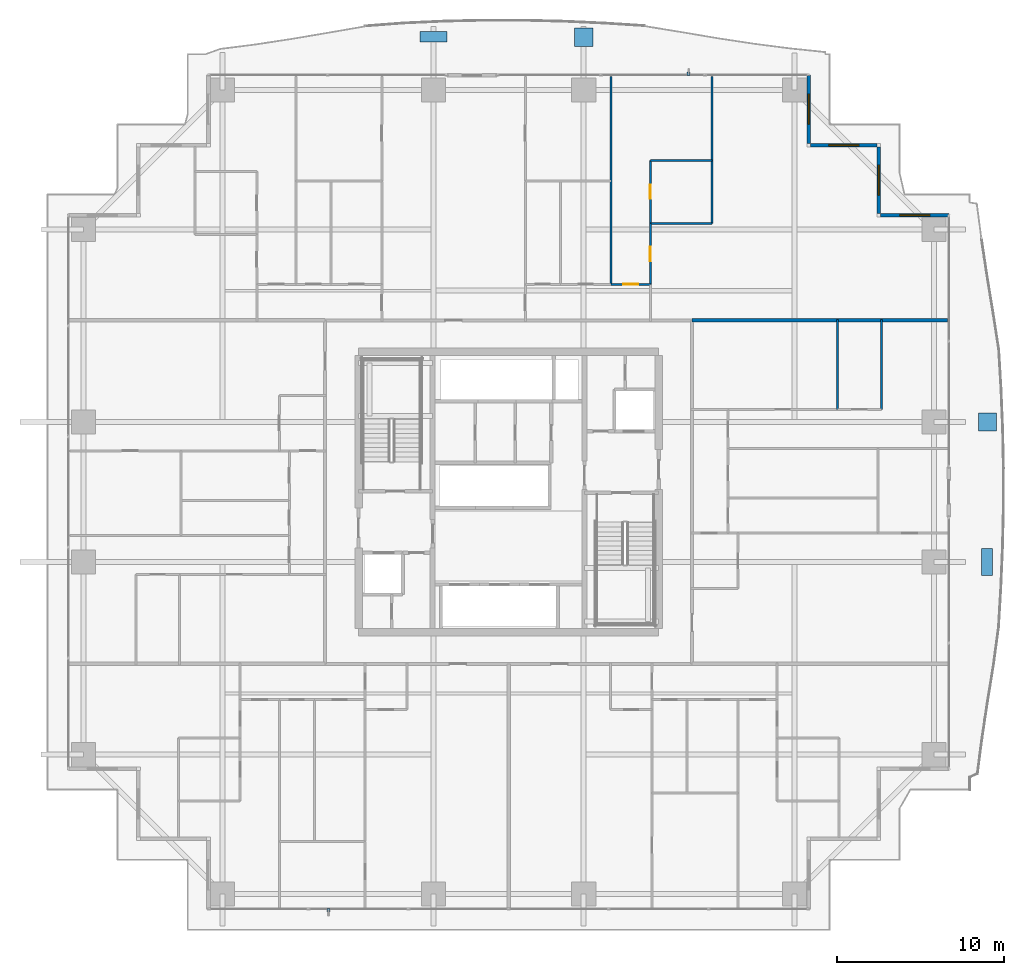
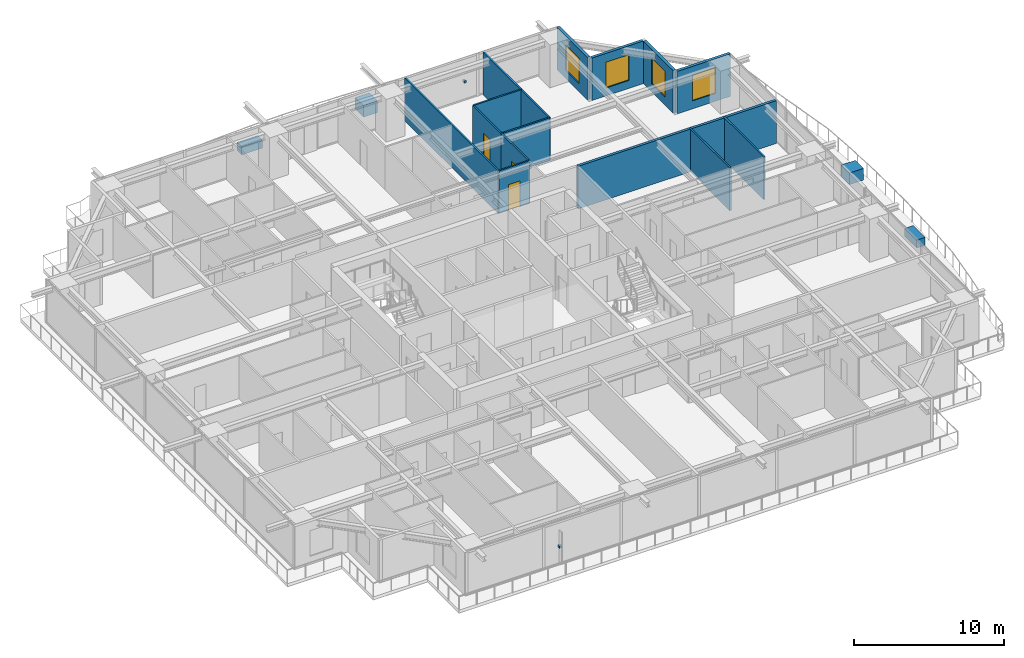
# One storey, part 32 of 39: 14 walls, 6 discrete accessories, 4 windows, 3 doors, 7 openings.
"""IFC4 building model written with IfcOpenShell, lengths in metres."""

from ifc_helpers import new_model, si_unit, direction, frame, frame_2d, origin, origin_2d, place, context, subcontext, project, spatial, rectangle, extrude, source, transform, mapped, material, layer, layer_set, type_object, element, fill, save


model = new_model("IFC4")

# Units and contexts
model_context = context("Model", 3, precision=1e-05, world=origin(), true_north=direction((0.0, 1.0)))
body_context = subcontext(model_context, "Body", "Model", "MODEL_VIEW")
ifc_project = project(units=[si_unit("LENGTHUNIT", "METRE"), si_unit("AREAUNIT", "SQUARE_METRE"), si_unit("VOLUMEUNIT", "CUBIC_METRE"), si_unit("PLANEANGLEUNIT", "RADIAN"), si_unit("MASSUNIT", "GRAM", prefix="KILO")], contexts=[model_context])

# Site, building, storey
site_placement = place(None, origin())
site = spatial("IfcSite", under=ifc_project, at=site_placement, CompositionType="ELEMENT")
building_placement = place(site_placement, origin())
building = spatial("IfcBuilding", under=site, at=building_placement, Name="Serunith Strait Residences", CompositionType="ELEMENT")
storey_placement = place(building_placement, frame((0.0, 0.0, 97.949951171875)))
storey = spatial("IfcBuildingStorey", under=building, at=storey_placement, Name="L24", CompositionType="ELEMENT", Elevation=97.949951171875)

# Wall, opening, window
ifc_material_1 = material(Name="Pale-Champagne Aluminium Insulated Panel", Category="aluminium")
ifc_layer_1 = layer(ifc_material_1, 0.219970703125, Name="Pale-Champagne Aluminium Insulated Panel")
ifc_layer_set_1 = layer_set([ifc_layer_1], Name="Pale-Champagne Aluminium Insulated Panel")
wall_type_1 = type_object("IfcWallType", Name="EW-ALUM-220", PredefinedType="ELEMENTEDWALL", material=ifc_layer_set_1)
wall_1_placement = place(storey_placement, frame((58.800048828125, 41.800048828125, 0.0), z_axis=(0.0, 0.0, 1.0), x_axis=(-1.0, 0.0, 0.0)))
wall_1 = element("IfcWall", 1, at=wall_1_placement, inside=storey, type_object=wall_type_1, Name="L24 Girih Serrated Corner Wall 07", PredefinedType="ELEMENTEDWALL", context=body_context, shape_type="SweptSolid", body=[
    extrude(rectangle(XDim=4.090087890625, YDim=0.219970703125, at=frame_2d((2.044921875, 0.0))), origin(), (0.0, 0.0, 1.0), 3.47509765625),
])
opening_1_placement = place(wall_1_placement, frame((1.14501953125, 0.0, 0.64990234375)))
opening_1 = element("IfcOpeningElement", 2, at=opening_1_placement, cuts=wall_1, Name="Opening W-01", PredefinedType="OPENING", context=body_context, shape_type="SweptSolid", body=[
    extrude(rectangle(XDim=1.800048828125, YDim=2.10009765625, at=frame_2d((0.89990234375, 1.050048828125))), frame((0.0, 0.1201171875, 0.0), z_axis=(0.0, -1.0, 0.0), x_axis=(1.0, 0.0, 0.0)), (0.0, 0.0, 1.0), 0.239990234375),
])
ifc_material_2 = material(Name="Ceramic-Fritted Operable Aluminium Window Glass", Category="aluminium")
window_type = type_object("IfcWindowType", Name="WIN-C1", PartitioningType="DOUBLE_PANEL_VERTICAL", PredefinedType="WINDOW", material=ifc_material_2)
shared_shape_1 = source(origin(), body_context, "Body", "SweptSolid", [
    extrude(rectangle(XDim=1.800048828125, YDim=2.10009765625, at=frame_2d((0.89990234375, 1.050048828125))), frame((0.0, 0.030029296875, 0.0), z_axis=(0.0, -1.0, 0.0), x_axis=(1.0, 0.0, 0.0)), (0.0, 0.0, 1.0), 0.06005859375),
])
window_1_placement = place(opening_1_placement, origin())
window_1 = element("IfcWindow", 3, at=window_1_placement, inside=storey, type_object=window_type, Name="L24 Corner Operable Fritted Window 07", OverallHeight=2.10009765625, OverallWidth=1.800048828125, PartitioningType="SINGLE_PANEL", PredefinedType="WINDOW", context=body_context, shape_type="MappedRepresentation", body=[
    mapped(shared_shape_1, transform((0.0, 0.0, 0.0), scale=1.0)),
])
fill(opening_1, window_1)

wall_2_placement = place(storey_placement, frame((54.60009765625, 41.909912109375, 0.0), z_axis=(0.0, 0.0, 1.0), x_axis=(0.0, 1.0, 0.0)))
wall_2 = element("IfcWall", 4, at=wall_2_placement, inside=storey, type_object=wall_type_1, Name="L24 Girih Serrated Corner Wall 08", PredefinedType="ELEMENTEDWALL", context=body_context, shape_type="SweptSolid", body=[
    extrude(rectangle(XDim=3.97998046875, YDim=0.219970703125, at=frame_2d((1.989990234375, 0.0))), origin(), (0.0, 0.0, 1.0), 3.47509765625),
])
opening_2_placement = place(wall_2_placement, frame((1.090087890625, 0.0, 0.64990234375)))
opening_2 = element("IfcOpeningElement", 5, at=opening_2_placement, cuts=wall_2, Name="Opening W-01", PredefinedType="OPENING", context=body_context, shape_type="SweptSolid", body=[
    extrude(rectangle(XDim=1.800048828125, YDim=2.10009765625, at=frame_2d((0.89990234375, 1.050048828125))), frame((0.0, 0.1201171875, 0.0), z_axis=(0.0, -1.0, 0.0), x_axis=(1.0, 0.0, 0.0)), (0.0, 0.0, 1.0), 0.239990234375),
])
window_2_placement = place(opening_2_placement, origin())
window_2 = element("IfcWindow", 6, at=window_2_placement, inside=storey, type_object=window_type, Name="L24 Corner Operable Fritted Window 08", OverallHeight=2.10009765625, OverallWidth=1.800048828125, PartitioningType="SINGLE_PANEL", PredefinedType="WINDOW", context=body_context, shape_type="MappedRepresentation", body=[
    mapped(shared_shape_1, transform((0.0, 0.0, 0.0), scale=1.0)),
])
fill(opening_2, window_2)

wall_3_placement = place(storey_placement, frame((54.489990234375, 46.0, 0.0), z_axis=(0.0, 0.0, 1.0), x_axis=(-1.0, 0.0, 0.0)))
wall_3 = element("IfcWall", 7, at=wall_3_placement, inside=storey, type_object=wall_type_1, Name="L24 Girih Serrated Corner Wall 09", PredefinedType="ELEMENTEDWALL", context=body_context, shape_type="SweptSolid", body=[
    extrude(rectangle(XDim=3.97998046875, YDim=0.219970703125, at=frame_2d((1.989990234375, 0.0))), origin(), (0.0, 0.0, 1.0), 3.47509765625),
])
opening_3_placement = place(wall_3_placement, frame((1.090087890625, 0.0, 0.64990234375)))
opening_3 = element("IfcOpeningElement", 8, at=opening_3_placement, cuts=wall_3, Name="Opening W-01", PredefinedType="OPENING", context=body_context, shape_type="SweptSolid", body=[
    extrude(rectangle(XDim=1.800048828125, YDim=2.10009765625, at=frame_2d((0.89990234375, 1.050048828125))), frame((0.0, 0.1201171875, 0.0), z_axis=(0.0, -1.0, 0.0), x_axis=(1.0, 0.0, 0.0)), (0.0, 0.0, 1.0), 0.239990234375),
])
window_3_placement = place(opening_3_placement, origin())
window_3 = element("IfcWindow", 9, at=window_3_placement, inside=storey, type_object=window_type, Name="L24 Corner Operable Fritted Window 09", OverallHeight=2.10009765625, OverallWidth=1.800048828125, PartitioningType="SINGLE_PANEL", PredefinedType="WINDOW", context=body_context, shape_type="MappedRepresentation", body=[
    mapped(shared_shape_1, transform((0.0, 0.0, 0.0), scale=1.0)),
])
fill(opening_3, window_3)

wall_4_placement = place(storey_placement, frame((50.39990234375, 46.110107421875, 0.0), z_axis=(0.0, 0.0, 1.0), x_axis=(0.0, 1.0, 0.0)))
wall_4 = element("IfcWall", 10, at=wall_4_placement, inside=storey, type_object=wall_type_1, Name="L24 Girih Serrated Corner Wall 10", PredefinedType="ELEMENTEDWALL", context=body_context, shape_type="SweptSolid", body=[
    extrude(rectangle(XDim=4.08984375, YDim=0.219970703125, at=frame_2d((2.044921875, 0.0))), origin(), (0.0, 0.0, 1.0), 3.47509765625),
])
opening_4_placement = place(wall_4_placement, frame((1.14501953125, 0.0, 0.64990234375)))
opening_4 = element("IfcOpeningElement", 11, at=opening_4_placement, cuts=wall_4, Name="Opening W-01", PredefinedType="OPENING", context=body_context, shape_type="SweptSolid", body=[
    extrude(rectangle(XDim=1.800048828125, YDim=2.10009765625, at=frame_2d((0.89990234375, 1.050048828125))), frame((0.0, 0.1201171875, 0.0), z_axis=(0.0, -1.0, 0.0), x_axis=(1.0, 0.0, 0.0)), (0.0, 0.0, 1.0), 0.239990234375),
])
window_4_placement = place(opening_4_placement, origin())
window_4 = element("IfcWindow", 12, at=window_4_placement, inside=storey, type_object=window_type, Name="L24 Corner Operable Fritted Window 10", OverallHeight=2.10009765625, OverallWidth=1.800048828125, PartitioningType="SINGLE_PANEL", PredefinedType="WINDOW", context=body_context, shape_type="MappedRepresentation", body=[
    mapped(shared_shape_1, transform((0.0, 0.0, 0.0), scale=1.0)),
])
fill(opening_4, window_4)

# Wall
ifc_material_3 = material(Name="Lightweight steel-stud gypsum partition", Category="steel")
ifc_layer_2 = layer(ifc_material_3, 0.1201171875, Name="Lightweight steel-stud gypsum partition")
ifc_layer_set_2 = layer_set([ifc_layer_2], Name="Lightweight steel-stud gypsum partition")
wall_type_2 = type_object("IfcWallType", Name="IW-PART-120", PredefinedType="PARTITIONING", material=ifc_layer_set_2)
wall_5_placement = place(storey_placement, frame((38.550048828125, 50.10498046875, 0.0), z_axis=(0.0, 0.0, 1.0), x_axis=(0.0, -1.0, 0.0)))
element("IfcWall", 13, at=wall_5_placement, inside=storey, type_object=wall_type_2, Name="L24 Partition Wall 079", PredefinedType="PARTITIONING", context=body_context, shape_type="SweptSolid", body=[
    extrude(rectangle(XDim=12.455078125, YDim=0.1201171875, at=frame_2d((6.2275390625, 0.0))), origin(), (0.0, 0.0, 1.0), 3.489990234375),
])

# Wall, opening, door
wall_6_placement = place(storey_placement, frame((38.552001953125, 37.64990234375, 0.0), z_axis=(0.0, 0.0, 1.0), x_axis=(1.0, 0.0, 0.0)))
wall_6 = element("IfcWall", 14, at=wall_6_placement, inside=storey, type_object=wall_type_2, Name="L24 Partition Wall 083", PredefinedType="PARTITIONING", context=body_context, shape_type="SweptSolid", body=[
    extrude(rectangle(XDim=2.347900390625, YDim=0.1201171875, at=frame_2d((1.173828125, 0.0))), origin(), (0.0, 0.0, 1.0), 3.489990234375),
])
opening_5_placement = place(wall_6_placement, frame((0.72412109375, 0.0, 0.0)))
opening_5 = element("IfcOpeningElement", 15, at=opening_5_placement, cuts=wall_6, Name="Opening D-RM900", PredefinedType="OPENING", context=body_context, shape_type="SweptSolid", body=[
    extrude(rectangle(XDim=0.89990234375, YDim=2.10009765625, at=frame_2d((0.449951171875, 1.050048828125))), frame((0.0, 0.070068359375, 0.0), z_axis=(0.0, -1.0, 0.0), x_axis=(1.0, 0.0, 0.0)), (0.0, 0.0, 1.0), 0.14013671875),
])
ifc_material_4 = material(Name="Engineered timber flush bedroom door", Category="wood")
door_type_1 = type_object("IfcDoorType", Name="ID-ROOM-900", OperationType="NOTDEFINED", PredefinedType="DOOR", material=ifc_material_4)
shared_shape_2 = source(origin(), body_context, "Body", "SweptSolid", [
    extrude(rectangle(XDim=0.89990234375, YDim=2.10009765625, at=frame_2d((0.449951171875, 1.050048828125))), frame((0.0, 0.02490234375, 0.0), z_axis=(0.0, -1.0, 0.0), x_axis=(1.0, 0.0, 0.0)), (0.0, 0.0, 1.0), 0.050048828125),
])
door_1_placement = place(opening_5_placement, origin())
door_1 = element("IfcDoor", 16, at=door_1_placement, inside=storey, type_object=door_type_1, Name="L24 Master Bedroom E 2403 Door", OperationType="SINGLE_SWING_LEFT", OverallHeight=2.10009765625, OverallWidth=0.89990234375, PredefinedType="DOOR", context=body_context, shape_type="MappedRepresentation", body=[
    mapped(shared_shape_2, transform((0.0, 0.0, 0.0), scale=1.0)),
])
fill(opening_5, door_1)

# Walls
wall_7_placement = place(storey_placement, frame((40.89990234375, 45.091064453125, 0.0), z_axis=(0.0, 0.0, 1.0), x_axis=(1.0, 0.0, 0.0)))
element("IfcWall", 17, at=wall_7_placement, inside=storey, type_object=wall_type_2, Name="L24 Partition Wall 084", PredefinedType="PARTITIONING", context=body_context, shape_type="SweptSolid", body=[
    extrude(rectangle(XDim=3.7001953125, YDim=0.1201171875, at=frame_2d((1.85009765625, 0.0))), origin(), (0.0, 0.0, 1.0), 3.489990234375),
])
wall_8_placement = place(storey_placement, frame((44.60009765625, 50.10498046875, 0.0), z_axis=(0.0, 0.0, 1.0), x_axis=(0.0, -1.0, 0.0)))
element("IfcWall", 18, at=wall_8_placement, inside=storey, type_object=wall_type_2, Name="L24 Partition Wall 085", PredefinedType="PARTITIONING", context=body_context, shape_type="SweptSolid", body=[
    extrude(rectangle(XDim=8.798095703125, YDim=0.1201171875, at=frame_2d((4.39892578125, 0.0))), origin(), (0.0, 0.0, 1.0), 3.489990234375),
])
wall_9_placement = place(storey_placement, frame((40.89990234375, 41.306884765625, 0.0), z_axis=(0.0, 0.0, 1.0), x_axis=(1.0, 0.0, 0.0)))
element("IfcWall", 19, at=wall_9_placement, inside=storey, type_object=wall_type_2, Name="L24 Partition Wall 086", PredefinedType="PARTITIONING", context=body_context, shape_type="SweptSolid", body=[
    extrude(rectangle(XDim=3.7001953125, YDim=0.1201171875, at=frame_2d((1.85009765625, 0.0))), origin(), (0.0, 0.0, 1.0), 3.489990234375),
])

# Wall, opening, door
wall_10_placement = place(storey_placement, frame((40.89990234375, 45.091064453125, 0.0), z_axis=(0.0, 0.0, 1.0), x_axis=(0.0, -1.0, 0.0)))
wall_10 = element("IfcWall", 20, at=wall_10_placement, inside=storey, type_object=wall_type_2, Name="L24 Partition Wall 087", PredefinedType="PARTITIONING", context=body_context, shape_type="SweptSolid", body=[
    extrude(rectangle(XDim=3.7841796875, YDim=0.1201171875, at=frame_2d((1.89208984375, 0.0))), origin(), (0.0, 0.0, 1.0), 3.489990234375),
])
opening_6_placement = place(wall_10_placement, frame((1.467041015625, 0.0, 0.0)))
opening_6 = element("IfcOpeningElement", 21, at=opening_6_placement, cuts=wall_10, Name="Opening D-BTH850", PredefinedType="OPENING", context=body_context, shape_type="SweptSolid", body=[
    extrude(rectangle(XDim=0.85009765625, YDim=2.10009765625, at=frame_2d((0.425048828125, 1.050048828125))), frame((0.0, 0.070068359375, 0.0), z_axis=(0.0, -1.0, 0.0), x_axis=(1.0, 0.0, 0.0)), (0.0, 0.0, 1.0), 0.14013671875),
])
ifc_material_5 = material(Name="Moisture-resistant timber bathroom door", Category="wood")
door_type_2 = type_object("IfcDoorType", Name="ID-BATH-850", OperationType="NOTDEFINED", PredefinedType="DOOR", material=ifc_material_5)
shared_shape_3 = source(origin(), body_context, "Body", "SweptSolid", [
    extrude(rectangle(XDim=0.85009765625, YDim=2.10009765625, at=frame_2d((0.425048828125, 1.050048828125))), frame((0.0, 0.02490234375, 0.0), z_axis=(0.0, -1.0, 0.0), x_axis=(1.0, 0.0, 0.0)), (0.0, 0.0, 1.0), 0.050048828125),
])
door_2_placement = place(opening_6_placement, origin())
door_2 = element("IfcDoor", 22, at=door_2_placement, inside=storey, type_object=door_type_2, Name="L24 En-suite Bathroom E 2403 Door", OperationType="SINGLE_SWING_RIGHT", OverallHeight=2.10009765625, OverallWidth=0.85009765625, PredefinedType="DOOR", context=body_context, shape_type="MappedRepresentation", body=[
    mapped(shared_shape_3, transform((0.0, 0.0, 0.0), scale=1.0)),
])
fill(opening_6, door_2)

wall_11_placement = place(storey_placement, frame((40.89990234375, 41.304931640625, 0.0), z_axis=(0.0, 0.0, 1.0), x_axis=(0.0, -1.0, 0.0)))
wall_11 = element("IfcWall", 23, at=wall_11_placement, inside=storey, type_object=wall_type_2, Name="L24 Partition Wall 088", PredefinedType="PARTITIONING", context=body_context, shape_type="SweptSolid", body=[
    extrude(rectangle(XDim=3.655029296875, YDim=0.1201171875, at=frame_2d((1.82763671875, 0.0))), origin(), (0.0, 0.0, 1.0), 3.489990234375),
])
opening_7_placement = place(wall_11_placement, frame((1.403076171875, 0.0, 0.0)))
opening_7 = element("IfcOpeningElement", 24, at=opening_7_placement, cuts=wall_11, Name="Opening D-RM850", PredefinedType="OPENING", context=body_context, shape_type="SweptSolid", body=[
    extrude(rectangle(XDim=0.85009765625, YDim=2.10009765625, at=frame_2d((0.425048828125, 1.050048828125))), frame((0.0, 0.070068359375, 0.0), z_axis=(0.0, -1.0, 0.0), x_axis=(1.0, 0.0, 0.0)), (0.0, 0.0, 1.0), 0.14013671875),
])
ifc_material_6 = material(Name="Engineered timber flush study and kitchen door", Category="wood")
door_type_3 = type_object("IfcDoorType", Name="ID-ROOM-850", OperationType="NOTDEFINED", PredefinedType="DOOR", material=ifc_material_6)
door_3_placement = place(opening_7_placement, origin())
door_3 = element("IfcDoor", 25, at=door_3_placement, inside=storey, type_object=door_type_3, Name="L24 Wardrobe E 2403 Door", OperationType="SINGLE_SWING_LEFT", OverallHeight=2.10009765625, OverallWidth=0.85009765625, PredefinedType="DOOR", context=body_context, shape_type="MappedRepresentation", body=[
    mapped(shared_shape_3, transform((0.0, 0.0, 0.0), scale=1.0)),
])
fill(opening_7, door_3)

# Walls
for number, where, z_axis, x_axis, name in (
    (26, (54.75, 30.14990234375, 0.0), (0.0, 0.0, 1.0), (0.0, 1.0, 0.0), "L24 Partition Wall 117"),
    (27, (52.133056640625, 30.14990234375, 0.0), (0.0, 0.0, 1.0), (0.0, 1.0, 0.0), "L24 Partition Wall 118"),
):
    element("IfcWall", number, at=place(storey_placement, frame(where, z_axis=z_axis, x_axis=x_axis)), inside=storey, type_object=wall_type_2, Name=name, PredefinedType="PARTITIONING", context=body_context, shape_type="SweptSolid", body=[
        extrude(rectangle(XDim=5.41015625, YDim=0.1201171875, at=frame_2d((2.705078125, 0.0))), origin(), (0.0, 0.0, 1.0), 3.489990234375),
    ])
ifc_material_7 = material(Name="Twin-stud acoustic gypsum board partition")
ifc_layer_3 = layer(ifc_material_7, 0.199951171875, Name="Twin-stud acoustic gypsum board partition")
ifc_layer_set_3 = layer_set([ifc_layer_3], Name="Twin-stud acoustic gypsum board partition")
wall_type_3 = type_object("IfcWallType", Name="IW-PARTY-200", PredefinedType="PARTITIONING", material=ifc_layer_set_3)
wall_12_placement = place(storey_placement, frame((43.39990234375, 35.5, 0.0), z_axis=(0.0, 0.0, 1.0), x_axis=(1.0, 0.0, 0.0)))
element("IfcWall", 28, at=wall_12_placement, inside=storey, type_object=wall_type_3, Name="L24 Partition Wall 021", PredefinedType="PARTITIONING", context=body_context, shape_type="SweptSolid", body=[
    extrude(rectangle(XDim=15.318115234375, YDim=0.199951171875, at=frame_2d((7.6591796875, 0.0))), origin(), (0.0, 0.0, 1.0), 3.489990234375),
])

# Discrete accessories
ifc_material_8 = material(Name="GFRC Root-Anchored Structural Planter")
discrete_accessory_type_1 = type_object("IfcDiscreteAccessoryType", Name="ACC-PLANTER-TREE", PredefinedType="USERDEFINED", material=ifc_material_8)
shared_shape_4 = source(origin(), body_context, "Body", "SweptSolid", [
    extrude(rectangle(XDim=1.10009765625, YDim=1.10009765625, at=origin_2d()), origin(), (0.0, 0.0, 1.0), 0.949951171875),
])
for number, where, z_axis, x_axis, name in (
    (29, (36.89990234375, 52.46533203125, -0.0498046875), (0.0, 0.0, 1.0), (-1.0, 0.0, 0.0), "L24 Vertical-Forest Tree Planter 07"),
    (30, (61.11767578125, 29.39990234375, -0.0498046875), (0.0, 0.0, 1.0), (0.0, 1.0, 0.0), "L24 Vertical-Forest Tree Planter 11"),
):
    element("IfcDiscreteAccessory", number, at=place(storey_placement, frame(where, z_axis=z_axis, x_axis=x_axis)), inside=storey, type_object=discrete_accessory_type_1, Name=name, ObjectType="PLANTER", PredefinedType="USERDEFINED", context=body_context, shape_type="MappedRepresentation", body=[
        mapped(shared_shape_4, transform((0.0, 0.0, 0.0), scale=1.0)),
    ])
ifc_material_9 = material(Name="GFRC Irrigated Shrub Trough Planter")
discrete_accessory_type_2 = type_object("IfcDiscreteAccessoryType", Name="ACC-PLANTER-SHRUB", PredefinedType="USERDEFINED", material=ifc_material_9)
shared_shape_5 = source(origin(), body_context, "Body", "SweptSolid", [
    extrude(rectangle(XDim=1.60009765625, YDim=0.64990234375, at=origin_2d()), origin(), (0.0, 0.0, 1.0), 0.64990234375),
])
for number, where, z_axis, x_axis, name in (
    (31, (27.89990234375, 52.49658203125, -0.0498046875), (0.0, 0.0, 1.0), (-1.0, 0.0, 0.0), "L24 Vertical-Forest Shrub Planter 06"),
    (32, (61.088134765625, 21.0, -0.0498046875), (0.0, 0.0, 1.0), (0.0, 1.0, 0.0), "L24 Vertical-Forest Shrub Planter 10"),
):
    element("IfcDiscreteAccessory", number, at=place(storey_placement, frame(where, z_axis=z_axis, x_axis=x_axis)), inside=storey, type_object=discrete_accessory_type_2, Name=name, ObjectType="PLANTER", PredefinedType="USERDEFINED", context=body_context, shape_type="MappedRepresentation", body=[
        mapped(shared_shape_5, transform((0.0, 0.0, 0.0), scale=1.0)),
    ])
ifc_material_10 = material(Name="Stainless Steel Facade Cleat Bracket", Category="steel")
discrete_accessory_type_3 = type_object("IfcDiscreteAccessoryType", Name="ACC-FIN-BRACKET", PredefinedType="USERDEFINED", material=ifc_material_10)
shared_shape_6 = source(origin(), body_context, "Body", "SweptSolid", [
    extrude(rectangle(XDim=0.179931640625, YDim=0.219970703125, at=origin_2d()), origin(), (0.0, 0.0, 1.0), 0.179931640625),
])
for number, where, z_axis, x_axis, name in (
    (33, (21.60009765625, 0.1201171875, 1.41015625), (0.0, 0.0, 1.0), (1.0, 0.0, 0.0), "L24 Solar Fin Cleat Bracket S"),
    (34, (43.199951171875, 50.280029296875, 1.41015625), (0.0, 0.0, 1.0), (1.0, 0.0, 0.0), "L24 Solar Fin Cleat Bracket N"),
):
    element("IfcDiscreteAccessory", number, at=place(storey_placement, frame(where, z_axis=z_axis, x_axis=x_axis)), inside=storey, type_object=discrete_accessory_type_3, Name=name, ObjectType="BRACKET", PredefinedType="USERDEFINED", context=body_context, shape_type="MappedRepresentation", body=[
        mapped(shared_shape_6, transform((0.0, 0.0, 0.0), scale=1.0)),
    ])

save(model, "model.ifc")
